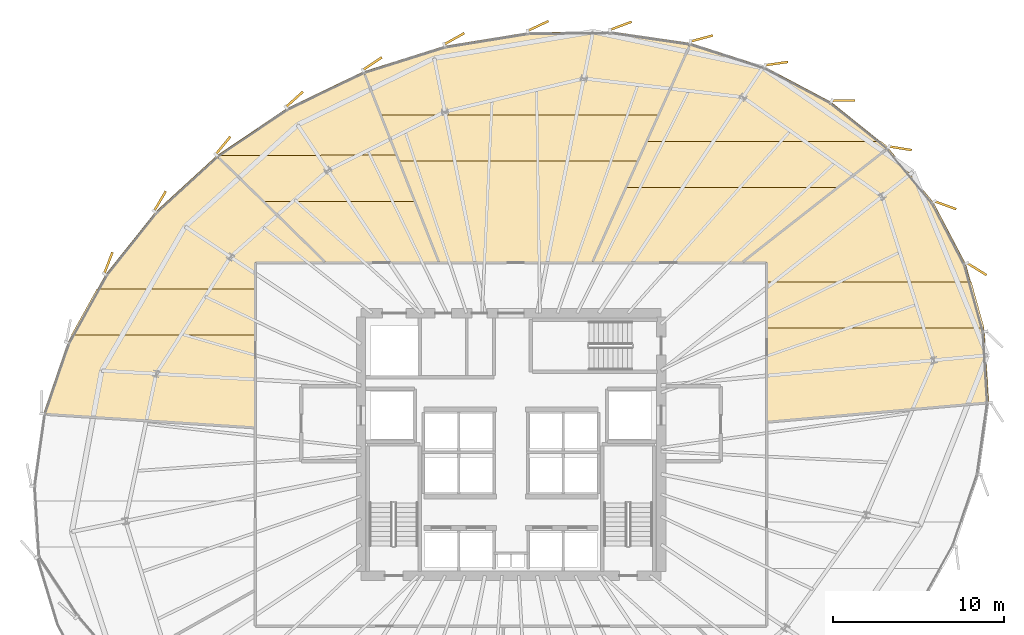
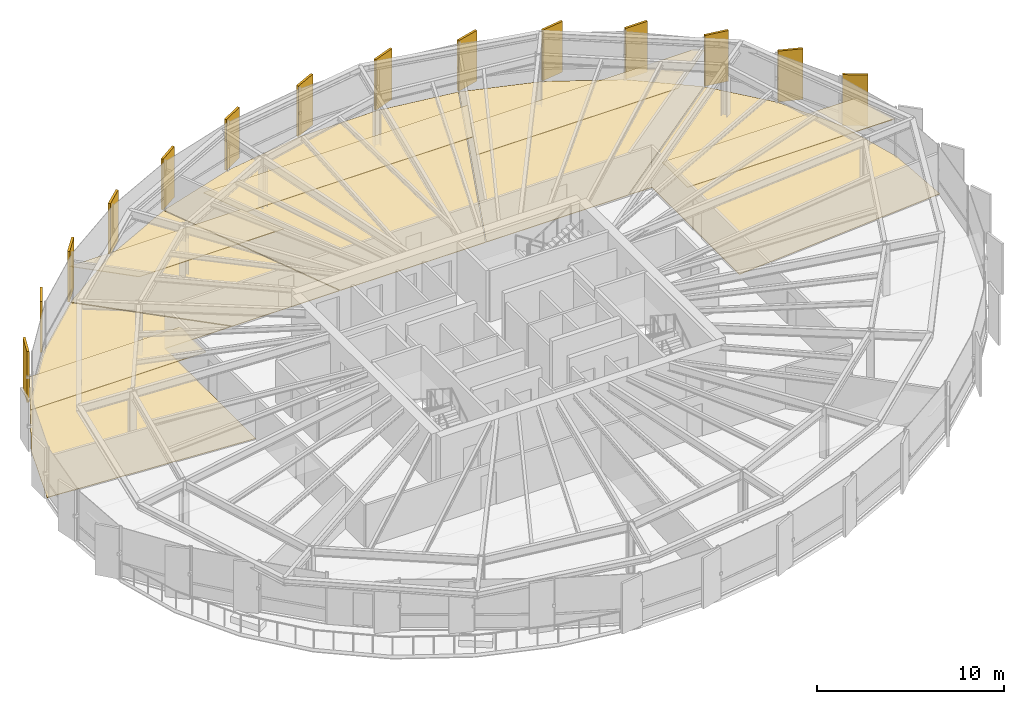
# One storey, part 35 of 35: 24 coverings.
"""IFC4 building model written with IfcOpenShell, lengths in metres."""

from ifc_helpers import new_model, si_unit, direction, frame, origin, origin_2d, place, context, subcontext, project, spatial, polyline, rectangle, outline, extrude, source, transform, mapped, material, layer, layer_set, type_object, element, save


model = new_model("IFC4")

# Units and contexts
model_context = context("Model", 3, precision=1e-05, world=origin(), true_north=direction((0.0, 1.0)))
body_context = subcontext(model_context, "Body", "Model", "MODEL_VIEW")
ifc_project = project(units=[si_unit("LENGTHUNIT", "METRE"), si_unit("AREAUNIT", "SQUARE_METRE"), si_unit("VOLUMEUNIT", "CUBIC_METRE"), si_unit("PLANEANGLEUNIT", "RADIAN"), si_unit("MASSUNIT", "GRAM", prefix="KILO"), si_unit("THERMODYNAMICTEMPERATUREUNIT", "KELVIN")], contexts=[model_context])

# Site, building, storey
site_placement = place(None, origin())
site = spatial("IfcSite", under=ifc_project, at=site_placement, CompositionType="ELEMENT")
building_placement = place(site_placement, origin())
building = spatial("IfcBuilding", under=site, at=building_placement, Name="Kethvar Cultural Tower", CompositionType="ELEMENT")
storey_placement = place(building_placement, frame((0.0, 0.0, 121.60009765625)))
storey = spatial("IfcBuildingStorey", under=building, at=storey_placement, Name="L30", CompositionType="ELEMENT", Elevation=121.60009765625)

# Coverings
ifc_material_1 = material(Name="Acoustic Mineral Fibre Ceiling")
ifc_layer_1 = layer(ifc_material_1, 0.0400390625, Name="Acoustic Mineral Fibre Ceiling")
ifc_layer_set_1 = layer_set([ifc_layer_1], Name="Acoustic Mineral Fibre Ceiling (40 mm)")
covering_type_1 = type_object("IfcCoveringType", Name="CV-ACOUSTIC-CEIL", PredefinedType="CEILING", material=ifc_layer_set_1)
covering_1_placement = place(storey_placement, frame((0.0, 0.0, 2.33984375)))
element("IfcCovering", 1, at=covering_1_placement, inside=storey, type_object=covering_type_1, Name="L30 Room 04 Acoustic Ceiling Panel", PredefinedType="CEILING", context=body_context, shape_type="SweptSolid", body=[
    extrude(outline(polyline([(61.77001953125, 37.323974609375), (73.7998046875, 37.323974609375), (74.5517578125, 34.614013671875), (61.77001953125, 34.614013671875), (61.77001953125, 37.323974609375)])), origin(), (0.0, 0.0, 1.0), 0.0400390625),
])
covering_2_placement = place(storey_placement, frame((0.0, 0.0, 2.33984375)))
element("IfcCovering", 2, at=covering_2_placement, inside=storey, type_object=covering_type_1, Name="L30 Room 05 Acoustic Ceiling Panel", PredefinedType="CEILING", context=body_context, shape_type="SweptSolid", body=[
    extrude(outline(polyline([(68.9296875, 45.228515625), (65.961181640625, 42.8603515625), (53.504638671875, 42.8603515625), (54.715087890625, 45.5703125), (68.50390625, 45.5703125), (68.9296875, 45.228515625)])), origin(), (0.0, 0.0, 1.0), 0.0400390625),
])
covering_3_placement = place(storey_placement, frame((0.0, 0.0, 2.33984375)))
element("IfcCovering", 3, at=covering_3_placement, inside=storey, type_object=covering_type_1, Name="L30 Room 06 Acoustic Ceiling Panel", PredefinedType="CEILING", context=body_context, shape_type="SweptSolid", body=[
    extrude(outline(polyline([(54.241943359375, 44.4130859375), (40.200927734375, 44.4130859375), (39.1279296875, 47.123046875), (55.452392578125, 47.123046875), (54.241943359375, 44.4130859375)])), origin(), (0.0, 0.0, 1.0), 0.0400390625),
])
covering_4_placement = place(storey_placement, frame((0.0, 0.0, 2.33984375)))
element("IfcCovering", 4, at=covering_4_placement, inside=storey, type_object=covering_type_1, Name="L30 Room 07 Acoustic Ceiling Panel", PredefinedType="CEILING", context=body_context, shape_type="SweptSolid", body=[
    extrude(outline(polyline([(41.1787109375, 42.052001953125), (32.248046875, 42.052001953125), (29.51171875, 44.74951171875), (40.105712890625, 44.761962890625), (41.1787109375, 42.052001953125)])), origin(), (0.0, 0.0, 1.0), 0.0400390625),
])
covering_5_placement = place(storey_placement, frame((0.0, 0.0, 2.33984375)))
element("IfcCovering", 5, at=covering_5_placement, inside=storey, type_object=covering_type_1, Name="L30 Room 08 Acoustic Ceiling Panel", PredefinedType="CEILING", context=body_context, shape_type="SweptSolid", body=[
    extrude(outline(polyline([(22.509033203125, 36.910400390625), (31.830078125, 36.910400390625), (31.830078125, 34.200439453125), (21.00341796875, 34.200439453125), (22.509033203125, 36.910400390625)])), origin(), (0.0, 0.0, 1.0), 0.0400390625),
])
ifc_material_2 = material(Name="Honed Warm Limestone", Category="masonry")
ifc_layer_2 = layer(ifc_material_2, 0.030029296875, Name="Honed Warm Limestone", Category="masonry")
ifc_layer_set_2 = layer_set([ifc_layer_2], Name="Honed Warm Limestone (30 mm)")
covering_type_2 = type_object("IfcCoveringType", Name="CV-STONE-FLOOR", PredefinedType="FLOORING", material=ifc_layer_set_2)
covering_6_placement = place(storey_placement, origin())
element("IfcCovering", 6, at=covering_6_placement, inside=storey, type_object=covering_type_2, Name="L30 Room 04 Floor Finish", PredefinedType="FLOORING", context=body_context, shape_type="SweptSolid", body=[
    extrude(outline(polyline([(74.821533203125, 30.264892578125), (61.81005859375, 29.129638671875), (61.8095703125, 38.4638671875), (60.3974609375, 38.47998046875), (68.914306640625, 45.185302734375), (71.56298828125, 41.99462890625), (73.470703125, 38.359619140625), (74.568603515625, 34.404052734375), (74.821533203125, 30.264892578125)])), origin(), (0.0, 0.0, 1.0), 0.02978515625),
])
covering_7_placement = place(storey_placement, origin())
element("IfcCovering", 7, at=covering_7_placement, inside=storey, type_object=covering_type_2, Name="L30 Room 05 Floor Finish", PredefinedType="FLOORING", context=body_context, shape_type="SweptSolid", body=[
    extrude(outline(polyline([(61.669189453125, 49.940185546875), (65.5712890625, 47.874267578125), (68.885009765625, 45.213134765625), (60.3330078125, 38.47998046875), (51.592041015625, 38.47998046875), (57.330810546875, 51.32861328125), (61.669189453125, 49.940185546875)])), origin(), (0.0, 0.0, 1.0), 0.02978515625),
])
covering_8_placement = place(storey_placement, origin())
element("IfcCovering", 8, at=covering_8_placement, inside=storey, type_object=covering_type_2, Name="L30 Room 06 Floor Finish", PredefinedType="FLOORING", context=body_context, shape_type="SweptSolid", body=[
    extrude(outline(polyline([(42.908203125, 51.162353515625), (47.789794921875, 51.9541015625), (52.641357421875, 52.01171875), (57.290771484375, 51.3369140625), (51.548095703125, 38.47998046875), (42.593017578125, 38.47998046875), (38.163818359375, 49.666748046875), (42.908203125, 51.162353515625)])), origin(), (0.0, 0.0, 1.0), 0.02978515625),
])
covering_9_placement = place(storey_placement, origin())
element("IfcCovering", 9, at=covering_9_placement, inside=storey, type_object=covering_type_2, Name="L30 Room 07 Floor Finish", PredefinedType="FLOORING", context=body_context, shape_type="SweptSolid", body=[
    extrude(outline(polyline([(33.644287109375, 47.49462890625), (38.126708984375, 49.652099609375), (42.550048828125, 38.47998046875), (35.945068359375, 38.47998046875), (29.56298828125, 44.742919921875), (33.644287109375, 47.49462890625)])), origin(), (0.0, 0.0, 1.0), 0.02978515625),
])
covering_10_placement = place(storey_placement, origin())
element("IfcCovering", 10, at=covering_10_placement, inside=storey, type_object=covering_type_2, Name="L30 Room 08 Floor Finish", PredefinedType="FLOORING", context=body_context, shape_type="SweptSolid", body=[
    extrude(outline(polyline([(19.38232421875, 29.606689453125), (20.8046875, 33.7607421875), (23.025146484375, 37.757080078125), (25.968017578125, 41.45068359375), (29.531005859375, 44.718017578125), (35.887939453125, 38.47998046875), (31.79150390625, 38.4677734375), (31.7900390625, 28.798095703125), (19.38232421875, 29.606689453125)])), origin(), (0.0, 0.0, 1.0), 0.02978515625),
])
ifc_material_3 = material(Name="Extruded Architectural Terracotta", Category="masonry")
ifc_layer_3 = layer(ifc_material_3, 0.135009765625, Name="Extruded Architectural Terracotta", Category="masonry")
ifc_layer_set_3 = layer_set([ifc_layer_3], Name="Extruded Architectural Terracotta (135 mm)")
covering_type_3 = type_object("IfcCoveringType", Name="Terracotta Facade Fin FIN-02", PredefinedType="CLADDING", material=ifc_layer_set_3)
shared_shape = source(origin(), body_context, "Body", "SweptSolid", [
    extrude(rectangle(XDim=1.35009765625, YDim=0.135009765625, at=origin_2d()), origin(), (0.0, 0.0, 1.0), 3.31005859375),
])
for number, where, z_axis, x_axis, name in (
    (11, (74.11572265625, 38.0830078125, 0.019775390625), (0.0, 0.0, 1.0), (0.849800708906, -0.527104121728, 0.0), "L30 Vertical Terracotta Fin 1.1"),
    (12, (72.275390625, 41.825439453125, 0.019775390625), (0.0, 0.0, 1.0), (0.939333942951, -0.343003999424, 0.0), "L30 Vertical Terracotta Fin 1.2"),
    (13, (69.63330078125, 45.165771484375, 0.019775390625), (0.0, 0.0, 1.0), (0.986742655175, -0.162292736925, 0.0), "L30 Vertical Terracotta Fin 1.3"),
    (14, (66.294921875, 47.96337890625, 0.019775390625), (0.0, 0.0, 1.0), (0.999997014751, 0.002443458521, 0.0), "L30 Vertical Terracotta Fin 1.4"),
    (15, (62.369384765625, 50.132080078125, 0.019775390625), (0.0, 0.0, 1.0), (0.989576118603, 0.144010782552, 0.0), "L30 Vertical Terracotta Fin 1.5"),
    (16, (57.98291015625, 51.607666015625, 0.019775390625), (0.0, 0.0, 1.0), (0.96560889837, 0.259998952669, 0.0), "L30 Vertical Terracotta Fin 1.6"),
    (17, (53.234619140625, 52.3486328125, 0.019775390625), (0.0, 0.0, 1.0), (0.936059535739, 0.351841648405, 0.0), "L30 Vertical Terracotta Fin 2.1"),
    (18, (48.385986328125, 52.340576171875, 0.019775390625), (0.0, 0.0, 1.0), (0.90475272618, 0.425937207192, 0.0), "L30 Vertical Terracotta Fin 2.2"),
    (19, (43.46826171875, 51.588134765625, 0.019775390625), (0.0, 0.0, 1.0), (0.87241071329, 0.488773513334, 0.0), "L30 Vertical Terracotta Fin 2.3"),
    (20, (38.664306640625, 50.126220703125, 0.019775390625), (0.0, 0.0, 1.0), (0.831857270839, 0.554989622383, 0.0), "L30 Vertical Terracotta Fin 2.4"),
    (21, (34.09130859375, 48.02978515625, 0.019775390625), (0.0, 0.0, 1.0), (0.74326159948, 0.669000892928, 0.0), "L30 Vertical Terracotta Fin 2.5"),
    (22, (29.906494140625, 45.32568359375, 0.019775390625), (0.0, 0.0, 1.0), (0.63580883374, 0.771846569558, 0.0), "L30 Vertical Terracotta Fin 2.6"),
    (23, (26.209228515625, 42.065185546875, 0.019775390625), (0.0, 0.0, 1.0), (0.508139769859, 0.861274621876, 0.0), "L30 Vertical Terracotta Fin 3.1"),
    (24, (23.180908203125, 38.43701171875, 0.019775390625), (0.0, 0.0, 1.0), (0.359345396006, 0.933204632634, 0.0), "L30 Vertical Terracotta Fin 3.2"),
):
    element("IfcCovering", number, at=place(storey_placement, frame(where, z_axis=z_axis, x_axis=x_axis)), inside=storey, type_object=covering_type_3, Name=name, PredefinedType="CLADDING", context=body_context, shape_type="MappedRepresentation", body=[
        mapped(shared_shape, transform((0.0, 0.0, 0.0), scale=1.0)),
    ])

save(model, "model.ifc")
